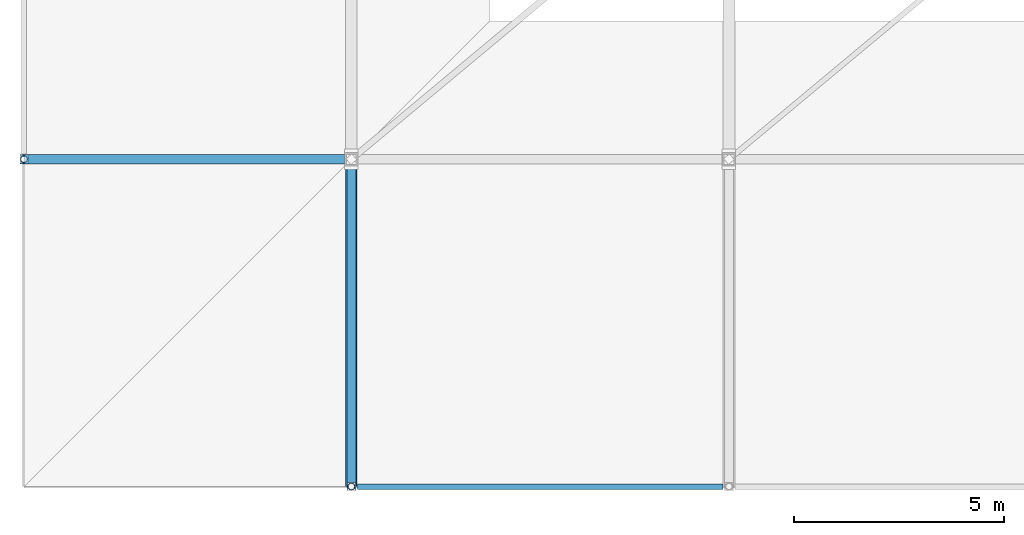
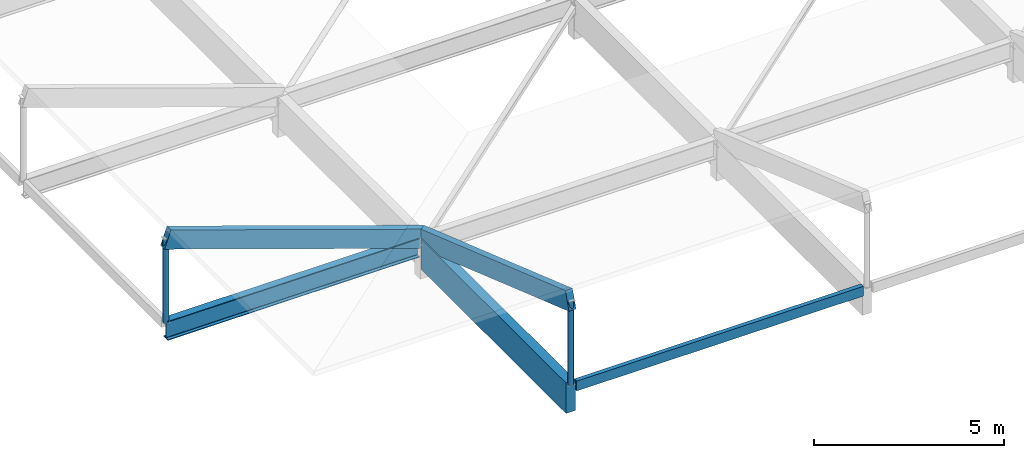
# One storey, part 2 of 19: 4 members, 3 beams.
"""IFC4 building model written with IfcOpenShell, lengths in metres."""

from ifc_helpers import new_model, si_unit, direction, frame, origin, origin_2d, place, context, subcontext, project, spatial, rectangle, hollow_circle, i_section, extrude, material, material_profile, profile_set, type_object, element, save


model = new_model("IFC4")

# Units and contexts
model_context = context("Model", 3, precision=1e-05, world=origin(), true_north=direction((0.0, 1.0)))
body_context = subcontext(model_context, "Body", "Model", "MODEL_VIEW")
ifc_project = project(units=[si_unit("LENGTHUNIT", "METRE"), si_unit("AREAUNIT", "SQUARE_METRE"), si_unit("VOLUMEUNIT", "CUBIC_METRE"), si_unit("PLANEANGLEUNIT", "RADIAN"), si_unit("MASSUNIT", "GRAM", prefix="KILO")], contexts=[model_context])

# Site, building, storey
site_placement = place(None, origin())
site = spatial("IfcSite", under=ifc_project, at=site_placement, CompositionType="ELEMENT")
building_placement = place(site_placement, origin())
building = spatial("IfcBuilding", under=site, at=building_placement, Name="Marnridge Secondary College", CompositionType="ELEMENT")
storey_placement = place(building_placement, frame((0.0, 0.0, 23.699951171875)))
storey = spatial("IfcBuildingStorey", under=building, at=storey_placement, Name="Roof Level", CompositionType="ELEMENT", Elevation=23.699951171875)

# Beams
ifc_material_1 = material(Name="Glulam timber GL18", Category="wood")
ifc_material_profile_1 = material_profile(ifc_material_1, rectangle(XDim=0.1298828125, YDim=0.31494140625, at=origin_2d()), Name="GL18 130x315")
ifc_profile_set_1 = profile_set([ifc_material_profile_1], Name="Glulam timber GL18")
beam_type_1 = type_object("IfcBeamType", Name="BM-GL315-EXT", PredefinedType="BEAM", material=ifc_profile_set_1)
beam_1_placement = place(storey_placement, frame((54.14501953125, 44.699951171875, 1.142578125), z_axis=(1.0, 0.0, 0.0), x_axis=(0.0, 1.0, 0.0)))
element("IfcBeam", 1, at=beam_1_placement, inside=storey, type_object=beam_type_1, Name="Beam BCAN-Roo-1505", PredefinedType="BEAM", context=body_context, shape_type="SweptSolid", body=[
    extrude(rectangle(XDim=0.1298828125, YDim=0.31494140625, at=origin_2d()), origin(), (0.0, 0.0, 1.0), 8.7099609375),
])
ifc_material_2 = material(Name="Glulam timber GL18", Category="wood")
ifc_material_profile_2 = material_profile(ifc_material_2, rectangle(XDim=0.280029296875, YDim=0.97998046875, at=origin_2d()), Name="GL18 280x980")
ifc_profile_set_2 = profile_set([ifc_material_profile_2], Name="Glulam timber GL18")
beam_type_2 = type_object("IfcBeamType", Name="BM-GL980-EXT", PredefinedType="BEAM", material=ifc_profile_set_2)
beam_2_placement = place(storey_placement, frame((54.0, 52.348388671875, 0.81005859375), z_axis=(0.0, -1.0, 0.0), x_axis=(1.0, 0.0, 0.0)))
element("IfcBeam", 2, at=beam_2_placement, inside=storey, type_object=beam_type_2, Name="Beam BCAN-Roo-1487", PredefinedType="BEAM", context=body_context, shape_type="SweptSolid", body=[
    extrude(rectangle(XDim=0.280029296875, YDim=0.97998046875, at=origin_2d()), origin(), (0.0, 0.0, 1.0), 7.6484375),
])
ifc_material_3 = material(Name="Structural steel Grade 350 (AS/NZS 3679.1/.2, fy = 340-360 MPa)", Category="steel")
ifc_material_profile_3 = material_profile(ifc_material_3, i_section(OverallWidth=0.22900390625, OverallDepth=0.611572265625, WebThickness=0.011962890625, FlangeThickness=0.01953125, FilletRadius=0.013916015625, at=origin_2d()), Name="610UB125")
ifc_profile_set_3 = profile_set([ifc_material_profile_3], Name="Structural steel Grade 350 (AS/NZS 3679.1/.2, fy = 340-360 MPa)")
beam_type_3 = type_object("IfcBeamType", Name="BM-UB610-EXT", PredefinedType="BEAM", material=ifc_profile_set_3)
beam_3_placement = place(storey_placement, frame((53.848388671875, 52.5, 0.994140625), z_axis=(-1.0, 0.0, 0.0), x_axis=(0.0, -1.0, 0.0)))
element("IfcBeam", 3, at=beam_3_placement, inside=storey, type_object=beam_type_3, Name="Beam BCAN-Roo-1478", PredefinedType="BEAM", context=body_context, shape_type="SweptSolid", body=[
    extrude(i_section(OverallWidth=0.22900390625, OverallDepth=0.611572265625, WebThickness=0.011962890625, FlangeThickness=0.01953125, FilletRadius=0.013916015625, at=origin_2d()), origin(), (0.0, 0.0, 1.0), 7.6484375),
])

# Members
ifc_material_4 = material(Name="Cold-formed steel Grade C350L0 (AS/NZS 1163, fy = 350 MPa)", Category="steel")
ifc_material_profile_4 = material_profile(ifc_material_4, hollow_circle(Radius=0.084228515625, WallThickness=0.00634765625, at=origin_2d()), Name="168.3x6.4CHS")
ifc_profile_set_4 = profile_set([ifc_material_profile_4], Name="Cold-formed steel Grade C350L0 (AS/NZS 1163, fy = 350 MPa)")
member_type_1 = type_object("IfcMemberType", Name="MB-BR-CHS168E", PredefinedType="BRACE", material=ifc_profile_set_4)
for number, where, z_axis, x_axis, name in (
    (4, (54.0, 44.699951171875, 1.219970703125), (0.0, 0.0, 1.0), (1.0, 0.0, 0.0), "Canopy eave web strut MCAN-001"),
    (5, (46.199951171875, 52.5, 1.219970703125), (0.0, 0.0, 1.0), (1.0, 0.0, 0.0), "Canopy eave web strut MCAN-011"),
):
    element("IfcMember", number, at=place(storey_placement, frame(where, z_axis=z_axis, x_axis=x_axis)), inside=storey, type_object=member_type_1, Name=name, PredefinedType="BRACE", context=body_context, shape_type="SweptSolid", body=[
        extrude(hollow_circle(Radius=0.084228515625, WallThickness=0.00634765625, at=origin_2d()), origin(), (0.0, 0.0, 1.0), 2.705078125),
    ])
ifc_material_5 = material(Name="Glulam timber GL18", Category="wood")
ifc_material_profile_5 = material_profile(ifc_material_5, rectangle(XDim=0.215087890625, YDim=0.5849609375, at=origin_2d()), Name="GL18 215x585")
ifc_profile_set_5 = profile_set([ifc_material_profile_5], Name="Glulam timber GL18")
member_type_2 = type_object("IfcMemberType", Name="MB-GS-GL585", PredefinedType="CHORD", material=ifc_profile_set_5)
for number, where, z_axis, x_axis, name in (
    (6, (54.0, 52.5, 1.219970703125), (0.0, -0.944796411745, 0.327657962444), (1.0, 0.0, 0.0), "Canopy overhang truss chord MCR-001"),
    (7, (54.0, 52.5, 1.219970703125), (-0.944796411745, 0.0, 0.327657962444), (0.0, -1.0, 0.0), "Canopy overhang truss chord MCR-011"),
):
    element("IfcMember", number, at=place(storey_placement, frame(where, z_axis=z_axis, x_axis=x_axis)), inside=storey, type_object=member_type_2, Name=name, PredefinedType="CHORD", context=body_context, shape_type="SweptSolid", body=[
        extrude(rectangle(XDim=0.215087890625, YDim=0.5849609375, at=origin_2d()), origin(), (0.0, 0.0, 1.0), 8.255859375),
    ])

save(model, "model.ifc")
